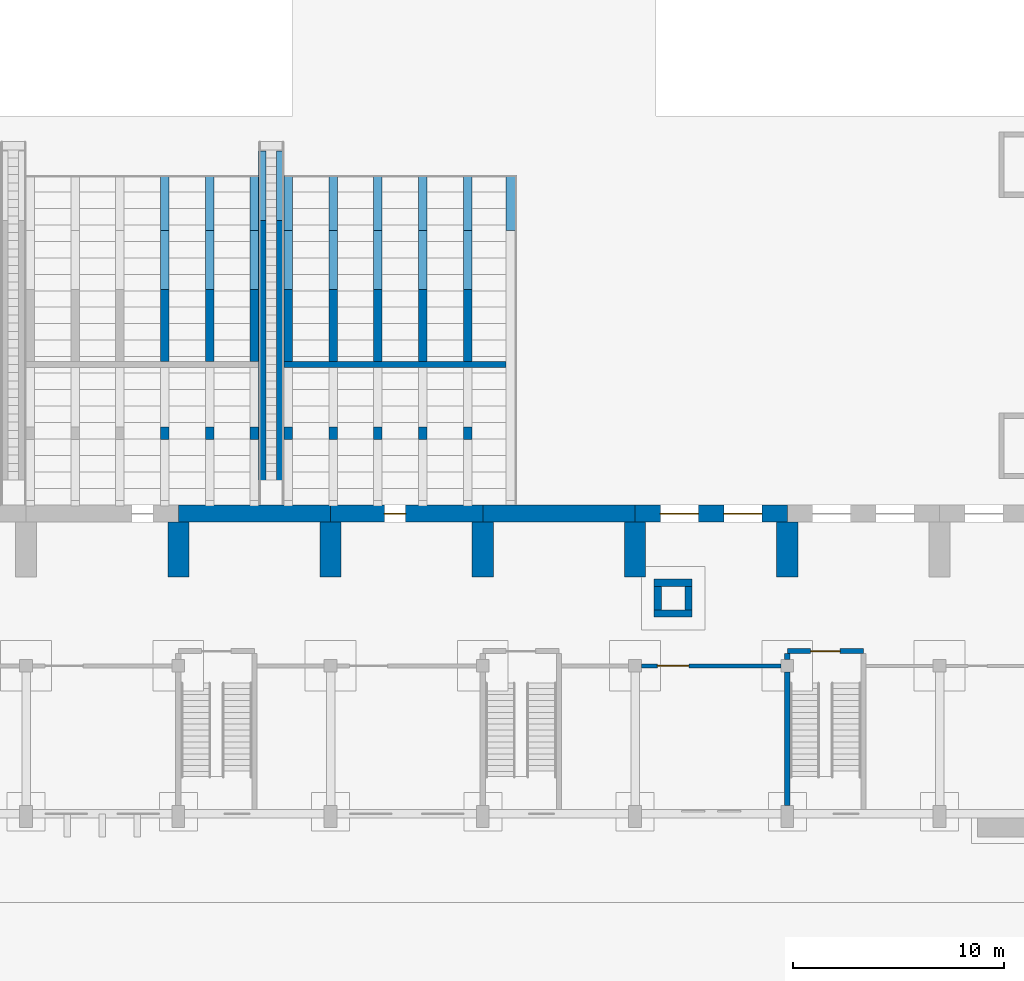
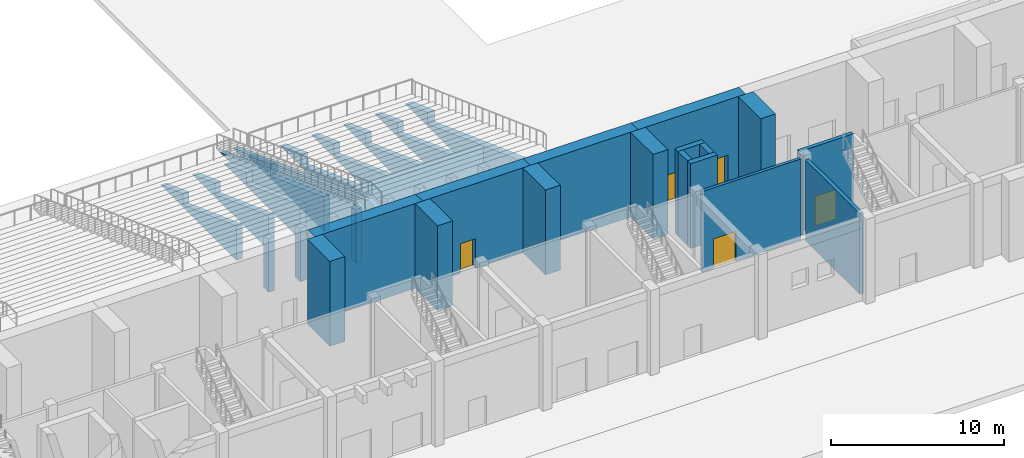
# One storey, part 44 of 70: 37 walls, 5 doors, 5 openings.
"""IFC4 building model written with IfcOpenShell, lengths in metres."""

from ifc_helpers import new_model, si_unit, direction, frame, frame_2d, origin, place, context, subcontext, project, spatial, polyline, rectangle, outline, extrude, material, layer, layer_set, type_object, element, fill, save


model = new_model("IFC4")

# Units and contexts
model_context = context("Model", 3, precision=1e-05, world=origin(), true_north=direction((0.0, 1.0)))
body_context = subcontext(model_context, "Body", "Model", "MODEL_VIEW")
ifc_project = project(units=[si_unit("LENGTHUNIT", "METRE"), si_unit("AREAUNIT", "SQUARE_METRE"), si_unit("VOLUMEUNIT", "CUBIC_METRE"), si_unit("PLANEANGLEUNIT", "RADIAN"), si_unit("MASSUNIT", "GRAM", prefix="KILO")], contexts=[model_context])

# Site, building, storey
site_placement = place(None, origin())
site = spatial("IfcSite", under=ifc_project, at=site_placement, CompositionType="ELEMENT")
building_placement = place(site_placement, origin())
building = spatial("IfcBuilding", under=site, at=building_placement, Name="Vermilion Court Aquatics Centre", CompositionType="ELEMENT")
storey_placement = place(building_placement, origin())
storey = spatial("IfcBuildingStorey", under=building, at=storey_placement, Name="L00", CompositionType="ELEMENT", Elevation=0.0)

# Walls
ifc_material_1 = material(Name="Concrete 5000 psi", Category="concrete")
ifc_layer_1 = layer(ifc_material_1, 1.0)
ifc_layer_set_1 = layer_set([ifc_layer_1], Name="Roof buttress pier")
wall_type_1 = type_object("IfcWallType", Name="Roof buttress pier", PredefinedType="SOLIDWALL", material=ifc_layer_set_1)
for number, where, z_axis, x_axis, name in (
    (1, (93.60009765625, 11.39990234375, 0.0), (0.0, 0.0, 1.0), (0.0, 1.0, 0.0), "Buttress pier BPS12"),
    (2, (100.800048828125, 11.39990234375, 0.0), (0.0, 0.0, 1.0), (0.0, 1.0, 0.0), "Buttress pier BPS13"),
    (3, (108.0, 11.39990234375, 0.0), (0.0, 0.0, 1.0), (0.0, 1.0, 0.0), "Buttress pier BPS14"),
    (4, (115.199951171875, 11.39990234375, 0.0), (0.0, 0.0, 1.0), (0.0, 1.0, 0.0), "Buttress pier BPS15"),
    (5, (122.39990234375, 11.39990234375, 0.0), (0.0, 0.0, 1.0), (0.0, 1.0, 0.0), "Buttress pier BPS16"),
):
    element("IfcWall", number, at=place(storey_placement, frame(where, z_axis=z_axis, x_axis=x_axis)), inside=storey, type_object=wall_type_1, Name=name, PredefinedType="SOLIDWALL", context=body_context, shape_type="SweptSolid", body=[
        extrude(rectangle(XDim=2.60009765625, YDim=1.0, at=frame_2d((1.300048828125, 0.0))), origin(), (0.0, 0.0, 1.0), 6.0),
    ])

# Wall, opening, door
ifc_material_2 = material(Name="Concrete masonry ASTM C90 Type I", Category="masonry")
ifc_layer_2 = layer(ifc_material_2, 0.199951171875)
ifc_layer_set_2 = layer_set([ifc_layer_2], Name="South partition wall 200")
wall_type_2 = type_object("IfcWallType", Name="South partition wall 200", PredefinedType="PARTITIONING", material=ifc_layer_set_2)
wall_1_placement = place(storey_placement, frame((115.5, 7.199951171875, 0.0), z_axis=(0.0, 0.0, 1.0), x_axis=(1.0, 0.0, 0.0)))
wall_1 = element("IfcWall", 6, at=wall_1_placement, inside=storey, type_object=wall_type_2, Name="Partition wall", PredefinedType="PARTITIONING", context=body_context, shape_type="SweptSolid", body=[
    extrude(rectangle(XDim=6.60009765625, YDim=0.199951171875, at=frame_2d((3.300048828125, 0.0))), origin(), (0.0, 0.0, 1.0), 5.699951171875),
])
opening_1_placement = place(wall_1_placement, frame((0.75, 0.0, 0.0)))
opening_1 = element("IfcOpeningElement", 7, at=opening_1_placement, cuts=wall_1, Name="Opening S00-032", PredefinedType="OPENING", context=body_context, shape_type="SweptSolid", body=[
    extrude(rectangle(XDim=1.5, YDim=2.10009765625, at=frame_2d((0.75, 1.050048828125))), frame((0.0, 0.10986328125, 0.0), z_axis=(0.0, -1.0, 0.0), x_axis=(1.0, 0.0, 0.0)), (0.0, 0.0, 1.0), 0.219970703125),
])
ifc_material_3 = material(Name="Timber door leaf", Category="wood")
door_type_1 = type_object("IfcDoorType", Name="South changing room door 1500", OperationType="DOUBLE_DOOR_SINGLE_SWING", PredefinedType="DOOR", material=ifc_material_3)
door_1_placement = place(opening_1_placement, origin())
door_1 = element("IfcDoor", 8, at=door_1_placement, inside=storey, type_object=door_type_1, Name="Changing Village - Men door", OperationType="DOUBLE_DOOR_SINGLE_SWING", OverallHeight=2.10009765625, OverallWidth=1.5, PredefinedType="DOOR", context=body_context, shape_type="SweptSolid", body=[
    extrude(rectangle(XDim=1.5, YDim=2.10009765625, at=frame_2d((0.75, 1.050048828125))), frame((0.0, 0.02490234375, 0.0), z_axis=(0.0, -1.0, 0.0), x_axis=(1.0, 0.0, 0.0)), (0.0, 0.0, 1.0), 0.050048828125),
])
fill(opening_1, door_1)

# Walls
ifc_material_4 = material(Name="Concrete 5000 psi", Category="concrete")
ifc_layer_3 = layer(ifc_material_4, 0.25)
ifc_layer_set_3 = layer_set([ifc_layer_3], Name="South stair wall 250")
wall_type_3 = type_object("IfcWallType", Name="South stair wall 250", PredefinedType="SOLIDWALL", material=ifc_layer_set_3)
wall_2_placement = place(storey_placement, frame((122.39990234375, 0.60009765625, 0.0), z_axis=(0.0, 0.0, 1.0), x_axis=(0.0, 1.0, 0.0)))
element("IfcWall", 9, at=wall_2_placement, inside=storey, type_object=wall_type_3, Name="Stair enclosure wall", PredefinedType="SOLIDWALL", context=body_context, shape_type="SweptSolid", body=[
    extrude(rectangle(XDim=6.2998046875, YDim=0.25, at=frame_2d((3.14990234375, 0.0))), origin(), (0.0, 0.0, 1.0), 5.699951171875),
])
wall_3_placement = place(storey_placement, frame((122.39990234375, 7.5, 0.0), z_axis=(0.0, 0.0, 1.0), x_axis=(0.0, 1.0, 0.0)))
element("IfcWall", 10, at=wall_3_placement, inside=storey, type_object=wall_type_3, Name="Stair enclosure wall", PredefinedType="SOLIDWALL", context=body_context, shape_type="SweptSolid", body=[
    extrude(rectangle(XDim=0.27490234375, YDim=0.25, at=frame_2d((0.137451171875, 0.0))), origin(), (0.0, 0.0, 1.0), 5.699951171875),
])

# Wall, opening, door
wall_4_placement = place(storey_placement, frame((122.39990234375, 7.89990234375, 0.0), z_axis=(0.0, 0.0, 1.0), x_axis=(1.0, 0.0, 0.0)))
wall_4 = element("IfcWall", 11, at=wall_4_placement, inside=storey, type_object=wall_type_3, Name="Stair enclosure wall", PredefinedType="SOLIDWALL", context=body_context, shape_type="SweptSolid", body=[
    extrude(rectangle(XDim=3.60009765625, YDim=0.25, at=frame_2d((1.800048828125, 0.0))), origin(), (0.0, 0.0, 1.0), 5.699951171875),
])
opening_2_placement = place(wall_4_placement, frame((1.10009765625, 0.0, 0.0)))
opening_2 = element("IfcOpeningElement", 12, at=opening_2_placement, cuts=wall_4, Name="Opening S00-021", PredefinedType="OPENING", context=body_context, shape_type="SweptSolid", body=[
    extrude(rectangle(XDim=1.39990234375, YDim=2.10009765625, at=frame_2d((0.699951171875, 1.050048828125))), frame((0.0, 0.135009765625, 0.0), z_axis=(0.0, -1.0, 0.0), x_axis=(1.0, 0.0, 0.0)), (0.0, 0.0, 1.0), 0.27001953125),
])
ifc_material_5 = material(Name="Hollow metal", Category="metal")
door_type_2 = type_object("IfcDoorType", Name="South stair door 1400", OperationType="DOUBLE_DOOR_SINGLE_SWING", PredefinedType="DOOR", material=ifc_material_5)
door_2_placement = place(opening_2_placement, origin())
door_2 = element("IfcDoor", 13, at=door_2_placement, inside=storey, type_object=door_type_2, Name="Exit stair S7 door", OperationType="DOUBLE_DOOR_SINGLE_SWING", OverallHeight=2.10009765625, OverallWidth=1.39990234375, PredefinedType="DOOR", context=body_context, shape_type="SweptSolid", body=[
    extrude(rectangle(XDim=1.39990234375, YDim=2.10009765625, at=frame_2d((0.699951171875, 1.050048828125))), frame((0.0, 0.02490234375, 0.0), z_axis=(0.0, -1.0, 0.0), x_axis=(1.0, 0.0, 0.0)), (0.0, 0.0, 1.0), 0.050048828125),
])
fill(opening_2, door_2)

# Walls
ifc_material_6 = material(Name="Concrete 5000 psi", Category="concrete")
ifc_layer_4 = layer(ifc_material_6, 0.35009765625)
ifc_layer_set_4 = layer_set([ifc_layer_4], Name="South vent riser support wall 350")
wall_type_4 = type_object("IfcWallType", Name="South vent riser support wall 350", PredefinedType="SOLIDWALL", material=ifc_layer_set_4)
for number, where, z_axis, x_axis, name in (
    (14, (116.10009765625, 11.125, 0.0), (0.0, 0.0, 1.0), (1.0, 0.0, 0.0), "Stack support wall"),
    (15, (116.10009765625, 9.675048828125, 0.0), (0.0, 0.0, 1.0), (1.0, 0.0, 0.0), "Stack support wall"),
):
    element("IfcWall", number, at=place(storey_placement, frame(where, z_axis=z_axis, x_axis=x_axis)), inside=storey, type_object=wall_type_4, Name=name, PredefinedType="SOLIDWALL", context=body_context, shape_type="SweptSolid", body=[
        extrude(rectangle(XDim=1.7998046875, YDim=0.35009765625, at=frame_2d((0.89990234375, 0.0))), origin(), (0.0, 0.0, 1.0), 6.0),
    ])
for number, where, z_axis, x_axis, name in (
    (16, (117.72509765625, 9.85009765625, 0.0), (0.0, 0.0, 1.0), (0.0, 1.0, 0.0), "Stack support wall"),
    (17, (116.27490234375, 9.85009765625, 0.0), (0.0, 0.0, 1.0), (0.0, 1.0, 0.0), "Stack support wall"),
):
    element("IfcWall", number, at=place(storey_placement, frame(where, z_axis=z_axis, x_axis=x_axis)), inside=storey, type_object=wall_type_4, Name=name, PredefinedType="SOLIDWALL", context=body_context, shape_type="SweptSolid", body=[
        extrude(rectangle(XDim=1.099853515625, YDim=0.35009765625, at=frame_2d((0.5498046875, 0.0))), origin(), (0.0, 0.0, 1.0), 6.0),
    ])
ifc_material_7 = material(Name="Concrete 5000 psi", Category="concrete")
ifc_layer_5 = layer(ifc_material_7, 0.35009765625)
ifc_layer_set_5 = layer_set([ifc_layer_5], Name="Tribune aisle stair wall 350")
wall_type_5 = type_object("IfcWallType", Name="Tribune aisle stair wall 350", PredefinedType="SOLIDWALL", material=ifc_layer_set_5)
for number, where, z_axis, x_axis, name in (
    (18, (97.574951171875, 31.553955078125, 0.0), (0.0, 0.0, 1.0), (0.0, -1.0, 0.0), "Aisle stair wall"),
    (19, (98.425048828125, 31.553955078125, 0.0), (0.0, 0.0, 1.0), (0.0, -1.0, 0.0), "Aisle stair wall"),
):
    element("IfcWall", number, at=place(storey_placement, frame(where, z_axis=z_axis, x_axis=x_axis)), inside=storey, type_object=wall_type_5, Name=name, PredefinedType="SOLIDWALL", context=body_context, shape_type="SweptSolid", body=[
        extrude(outline(polyline([(0.0, 0.0), (16.75390625, 0.0), (16.75390625, 5.800048828125), (15.553955078125, 5.800048828125), (15.553955078125, 5.697509765625), (0.0, 0.0), (0.0, 0.0)])), frame((0.0, 0.175048828125, 0.0), z_axis=(0.0, -1.0, 0.0), x_axis=(1.0, 0.0, 0.0)), (0.0, 0.0, 1.0), 0.35009765625),
    ])
ifc_material_8 = material(Name="Concrete 5000 psi", Category="concrete")
ifc_layer_6 = layer(ifc_material_8, 0.800048828125)
ifc_layer_set_6 = layer_set([ifc_layer_6], Name="Tribune back wall 800")
wall_type_6 = type_object("IfcWallType", Name="Tribune back wall 800", PredefinedType="SOLIDWALL", material=ifc_layer_set_6)
wall_5_placement = place(storey_placement, frame((93.60009765625, 14.39990234375, 0.0), z_axis=(0.0, 0.0, 1.0), x_axis=(1.0, 0.0, 0.0)))
element("IfcWall", 20, at=wall_5_placement, inside=storey, type_object=wall_type_6, Name="South hall wall", PredefinedType="SOLIDWALL", context=body_context, shape_type="SweptSolid", body=[
    extrude(rectangle(XDim=7.199951171875, YDim=0.800048828125, at=frame_2d((3.60009765625, 0.0))), origin(), (0.0, 0.0, 1.0), 6.0),
])

# Wall, opening, door
wall_6_placement = place(storey_placement, frame((100.800048828125, 14.39990234375, 0.0), z_axis=(0.0, 0.0, 1.0), x_axis=(1.0, 0.0, 0.0)))
wall_6 = element("IfcWall", 21, at=wall_6_placement, inside=storey, type_object=wall_type_6, Name="South hall wall", PredefinedType="SOLIDWALL", context=body_context, shape_type="SweptSolid", body=[
    extrude(rectangle(XDim=7.199951171875, YDim=0.800048828125, at=frame_2d((3.60009765625, 0.0))), origin(), (0.0, 0.0, 1.0), 6.0),
])
opening_3_placement = place(wall_6_placement, frame((2.550048828125, 0.0, 0.0)))
opening_3 = element("IfcOpeningElement", 22, at=opening_3_placement, cuts=wall_6, Name="Opening T00-020", PredefinedType="OPENING", context=body_context, shape_type="SweptSolid", body=[
    extrude(rectangle(XDim=1.0, YDim=2.10009765625, at=frame_2d((0.5, 1.050048828125))), frame((0.0, 0.409912109375, 0.0), z_axis=(0.0, -1.0, 0.0), x_axis=(1.0, 0.0, 0.0)), (0.0, 0.0, 1.0), 0.820068359375),
])
ifc_material_9 = material(Name="Timber door leaf", Category="wood")
door_type_3 = type_object("IfcDoorType", Name="Tribune single door 1000", OperationType="NOTDEFINED", PredefinedType="DOOR", material=ifc_material_9)
door_3_placement = place(opening_3_placement, origin())
door_3 = element("IfcDoor", 23, at=door_3_placement, inside=storey, type_object=door_type_3, Name="Referees' Room door", OperationType="SINGLE_SWING_RIGHT", OverallHeight=2.10009765625, OverallWidth=1.0, PredefinedType="DOOR", context=body_context, shape_type="SweptSolid", body=[
    extrude(rectangle(XDim=1.0, YDim=2.10009765625, at=frame_2d((0.5, 1.050048828125))), frame((0.0, 0.02490234375, 0.0), z_axis=(0.0, -1.0, 0.0), x_axis=(1.0, 0.0, 0.0)), (0.0, 0.0, 1.0), 0.050048828125),
])
fill(opening_3, door_3)

# Wall
wall_7_placement = place(storey_placement, frame((108.0, 14.39990234375, 0.0), z_axis=(0.0, 0.0, 1.0), x_axis=(1.0, 0.0, 0.0)))
element("IfcWall", 24, at=wall_7_placement, inside=storey, type_object=wall_type_6, Name="South hall wall", PredefinedType="SOLIDWALL", context=body_context, shape_type="SweptSolid", body=[
    extrude(rectangle(XDim=7.199951171875, YDim=0.800048828125, at=frame_2d((3.60009765625, 0.0))), origin(), (0.0, 0.0, 1.0), 6.0),
])

# Wall, openings, doors
wall_8_placement = place(storey_placement, frame((115.199951171875, 14.39990234375, 0.0), z_axis=(0.0, 0.0, 1.0), x_axis=(1.0, 0.0, 0.0)))
wall_8 = element("IfcWall", 25, at=wall_8_placement, inside=storey, type_object=wall_type_6, Name="South hall wall", PredefinedType="SOLIDWALL", context=body_context, shape_type="SweptSolid", body=[
    extrude(rectangle(XDim=7.199951171875, YDim=0.800048828125, at=frame_2d((3.60009765625, 0.0))), origin(), (0.0, 0.0, 1.0), 6.0),
])
opening_4_placement = place(wall_8_placement, frame((1.199951171875, 0.0, 0.0)))
opening_4 = element("IfcOpeningElement", 26, at=opening_4_placement, cuts=wall_8, Name="Opening T00-007", PredefinedType="OPENING", context=body_context, shape_type="SweptSolid", body=[
    extrude(rectangle(XDim=1.800048828125, YDim=2.10009765625, at=frame_2d((0.89990234375, 1.050048828125))), frame((0.0, 0.409912109375, 0.0), z_axis=(0.0, -1.0, 0.0), x_axis=(1.0, 0.0, 0.0)), (0.0, 0.0, 1.0), 0.820068359375),
])
opening_5_placement = place(wall_8_placement, frame((4.199951171875, 0.0, 0.0)))
opening_5 = element("IfcOpeningElement", 27, at=opening_5_placement, cuts=wall_8, Name="Opening T00-008", PredefinedType="OPENING", context=body_context, shape_type="SweptSolid", body=[
    extrude(rectangle(XDim=1.800048828125, YDim=2.10009765625, at=frame_2d((0.89990234375, 1.050048828125))), frame((0.0, 0.409912109375, 0.0), z_axis=(0.0, -1.0, 0.0), x_axis=(1.0, 0.0, 0.0)), (0.0, 0.0, 1.0), 0.820068359375),
])
ifc_material_10 = material(Name="Hollow metal", Category="metal")
door_type_4 = type_object("IfcDoorType", Name="Tribune double door 1800", OperationType="DOUBLE_DOOR_SINGLE_SWING", PredefinedType="DOOR", material=ifc_material_10)
door_4_placement = place(opening_4_placement, frame((1.800048828125, 0.0, 0.0), z_axis=(0.0, 0.0, 1.0), x_axis=(-1.0, 0.0, 0.0)))
door_4 = element("IfcDoor", 28, at=door_4_placement, inside=storey, type_object=door_type_4, Name="Pool deck door", OperationType="DOUBLE_DOOR_SINGLE_SWING", OverallHeight=2.10009765625, OverallWidth=1.800048828125, PredefinedType="DOOR", context=body_context, shape_type="SweptSolid", body=[
    extrude(rectangle(XDim=1.800048828125, YDim=2.10009765625, at=frame_2d((0.900146484375, 1.050048828125))), frame((0.0, 0.025146484375, 0.0), z_axis=(0.0, -1.0, 0.0), x_axis=(1.0, 0.0, 0.0)), (0.0, 0.0, 1.0), 0.050048828125),
])
fill(opening_4, door_4)
door_5_placement = place(opening_5_placement, frame((1.800048828125, 0.0, 0.0), z_axis=(0.0, 0.0, 1.0), x_axis=(-1.0, 0.0, 0.0)))
door_5 = element("IfcDoor", 29, at=door_5_placement, inside=storey, type_object=door_type_4, Name="Pool deck door", OperationType="DOUBLE_DOOR_SINGLE_SWING", OverallHeight=2.10009765625, OverallWidth=1.800048828125, PredefinedType="DOOR", context=body_context, shape_type="SweptSolid", body=[
    extrude(rectangle(XDim=1.800048828125, YDim=2.10009765625, at=frame_2d((0.900146484375, 1.050048828125))), frame((0.0, 0.025146484375, 0.0), z_axis=(0.0, -1.0, 0.0), x_axis=(1.0, 0.0, 0.0)), (0.0, 0.0, 1.0), 0.050048828125),
])
fill(opening_5, door_5)

# Walls
ifc_material_11 = material(Name="Concrete 5000 psi", Category="concrete")
ifc_layer_7 = layer(ifc_material_11, 0.5)
ifc_layer_set_7 = layer_set([ifc_layer_7], Name="Tribune end frame wall 500")
wall_type_7 = type_object("IfcWallType", Name="Tribune end frame wall 500", PredefinedType="SOLIDWALL", material=ifc_layer_set_7)
wall_9_placement = place(storey_placement, frame((109.35009765625, 30.39990234375, 0.0), z_axis=(0.0, 0.0, 1.0), x_axis=(0.0, -1.0, 0.0)))
element("IfcWall", 30, at=wall_9_placement, inside=storey, type_object=wall_type_7, Name="Tier end frame wall", PredefinedType="SOLIDWALL", context=body_context, shape_type="SweptSolid", body=[
    extrude(outline(polyline([(0.0, 0.0), (15.599853515625, 0.0), (15.60009765625, 4.93701171875), (2.60009765625, 0.175048828125), (2.60009765625, 0.973876953125), (0.0, 0.021484375), (0.0, 0.0)])), frame((0.0, 0.25, 0.0), z_axis=(0.0, -1.0, 0.0), x_axis=(1.0, 0.0, 0.0)), (0.0, 0.0, 1.0), 0.5),
])
ifc_material_12 = material(Name="Concrete 5000 psi", Category="concrete")
ifc_layer_8 = layer(ifc_material_12, 0.39990234375)
ifc_layer_set_8 = layer_set([ifc_layer_8], Name="Tribune raker support pier 400x600")
wall_type_8 = type_object("IfcWallType", Name="Tribune raker support pier 400x600", PredefinedType="SOLIDWALL", material=ifc_layer_set_8)
for number, where, z_axis, x_axis, name in (
    (31, (92.9599609375, 18.5, 0.0), (0.0, 0.0, 1.0), (0.0, -1.0, 0.0), "Raker support pier"),
    (32, (95.080078125, 18.5, 0.0), (0.0, 0.0, 1.0), (0.0, -1.0, 0.0), "Raker support pier"),
    (33, (97.199951171875, 18.5, 0.0), (0.0, 0.0, 1.0), (0.0, -1.0, 0.0), "Raker support pier"),
    (34, (98.800048828125, 18.5, 0.0), (0.0, 0.0, 1.0), (0.0, -1.0, 0.0), "Raker support pier"),
    (35, (100.919921875, 18.5, 0.0), (0.0, 0.0, 1.0), (0.0, -1.0, 0.0), "Raker support pier"),
    (36, (103.0400390625, 18.5, 0.0), (0.0, 0.0, 1.0), (0.0, -1.0, 0.0), "Raker support pier"),
    (37, (105.159912109375, 18.5, 0.0), (0.0, 0.0, 1.0), (0.0, -1.0, 0.0), "Raker support pier"),
    (38, (107.280029296875, 18.5, 0.0), (0.0, 0.0, 1.0), (0.0, -1.0, 0.0), "Raker support pier"),
):
    element("IfcWall", number, at=place(storey_placement, frame(where, z_axis=z_axis, x_axis=x_axis)), inside=storey, type_object=wall_type_8, Name=name, PredefinedType="SOLIDWALL", context=body_context, shape_type="SweptSolid", body=[
        extrude(outline(polyline([(0.0, 0.0), (0.60009765625, 0.0), (0.60009765625, 3.801513671875), (0.0, 3.581787109375), (0.0, 0.0)])), frame((0.0, 0.199951171875, 0.0), z_axis=(0.0, -1.0, 0.0), x_axis=(1.0, 0.0, 0.0)), (0.0, 0.0, 1.0), 0.39990234375),
    ])
ifc_material_13 = material(Name="Concrete 5000 psi", Category="concrete")
ifc_layer_9 = layer(ifc_material_13, 0.39990234375)
ifc_layer_set_9 = layer_set([ifc_layer_9], Name="Tribune tier frame wall 400")
wall_type_9 = type_object("IfcWallType", Name="Tribune tier frame wall 400", PredefinedType="SOLIDWALL", material=ifc_layer_set_9)
for number, where, z_axis, x_axis, name in (
    (39, (92.9599609375, 30.39990234375, 0.0), (0.0, 0.0, 1.0), (0.0, -1.0, 0.0), "Tier frame wall"),
    (40, (95.080078125, 30.39990234375, 0.0), (0.0, 0.0, 1.0), (0.0, -1.0, 0.0), "Tier frame wall"),
    (41, (97.199951171875, 30.39990234375, 0.0), (0.0, 0.0, 1.0), (0.0, -1.0, 0.0), "Tier frame wall"),
    (42, (98.800048828125, 30.39990234375, 0.0), (0.0, 0.0, 1.0), (0.0, -1.0, 0.0), "Tier frame wall"),
    (43, (100.919921875, 30.39990234375, 0.0), (0.0, 0.0, 1.0), (0.0, -1.0, 0.0), "Tier frame wall"),
    (44, (103.0400390625, 30.39990234375, 0.0), (0.0, 0.0, 1.0), (0.0, -1.0, 0.0), "Tier frame wall"),
    (45, (105.159912109375, 30.39990234375, 0.0), (0.0, 0.0, 1.0), (0.0, -1.0, 0.0), "Tier frame wall"),
    (46, (107.280029296875, 30.39990234375, 0.0), (0.0, 0.0, 1.0), (0.0, -1.0, 0.0), "Tier frame wall"),
):
    element("IfcWall", number, at=place(storey_placement, frame(where, z_axis=z_axis, x_axis=x_axis)), inside=storey, type_object=wall_type_9, Name=name, PredefinedType="SOLIDWALL", context=body_context, shape_type="SweptSolid", body=[
        extrude(outline(polyline([(0.0, 0.0), (8.7998046875, 0.0), (8.800048828125, 2.446044921875), (2.60009765625, 0.175048828125), (2.60009765625, 0.973876953125), (0.0, 0.021484375), (0.0, 0.0)])), frame((0.0, 0.199951171875, 0.0), z_axis=(0.0, -1.0, 0.0), x_axis=(1.0, 0.0, 0.0)), (0.0, 0.0, 1.0), 0.39990234375),
    ])
ifc_material_14 = material(Name="Concrete masonry ASTM C90 Type I", Category="masonry")
ifc_layer_10 = layer(ifc_material_14, 0.300048828125)
ifc_layer_set_10 = layer_set([ifc_layer_10], Name="Tribune under-stand wall 300")
wall_type_10 = type_object("IfcWallType", Name="Tribune under-stand wall 300", PredefinedType="PARTITIONING", material=ifc_layer_set_10)
wall_10_placement = place(storey_placement, frame((98.60009765625, 21.449951171875, 0.0), z_axis=(0.0, 0.0, 1.0), x_axis=(1.0, 0.0, 0.0)))
element("IfcWall", 47, at=wall_10_placement, inside=storey, type_object=wall_type_10, Name="Under-stand wall", PredefinedType="PARTITIONING", context=body_context, shape_type="SweptSolid", body=[
    extrude(rectangle(XDim=10.5, YDim=0.300048828125, at=frame_2d((5.25, 0.0))), origin(), (0.0, 0.0, 1.0), 2.449951171875),
])

save(model, "model.ifc")
